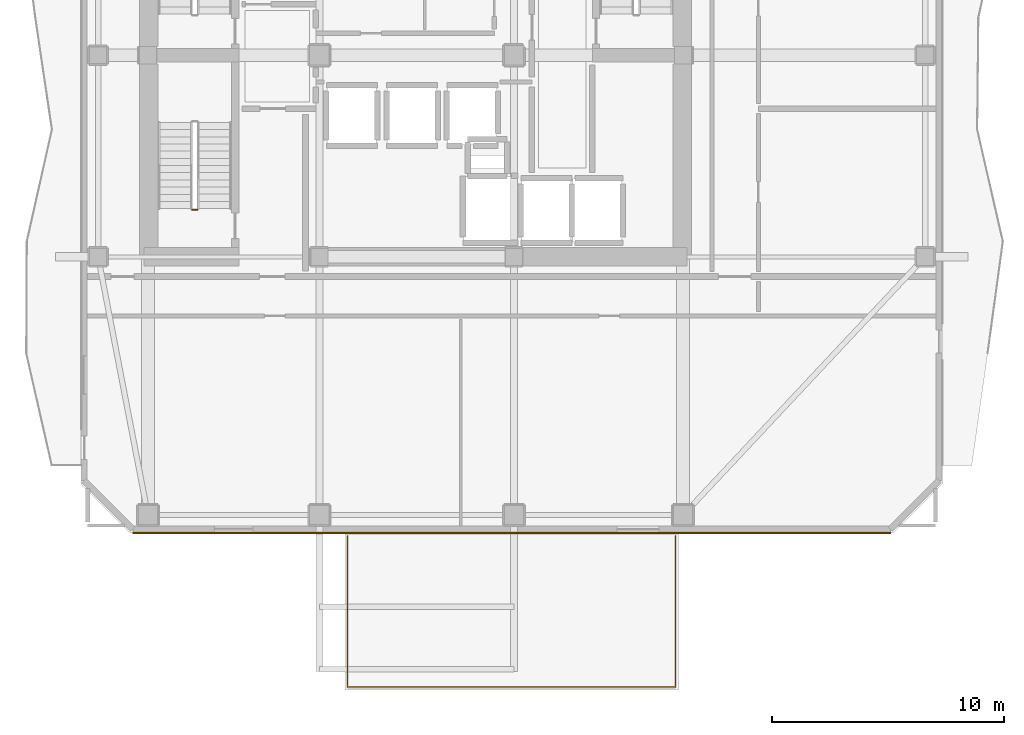
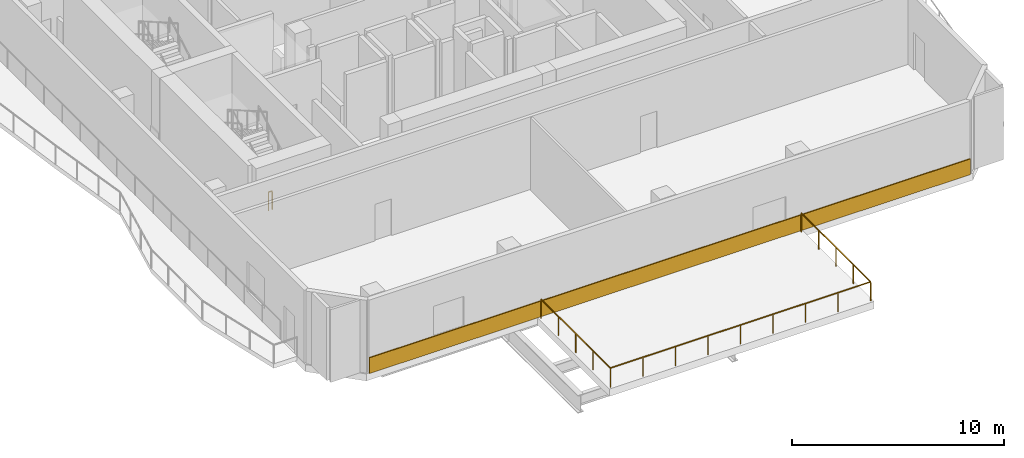
# One storey, part 7 of 10: 2 railings, 1 covering.
"""IFC4 building model written with IfcOpenShell, lengths in metres."""

from ifc_helpers import new_model, si_unit, direction, frame, frame_2d, origin, origin_2d, place, context, subcontext, project, spatial, rectangle, extrude, material, layer, layer_set, type_object, element, save


model = new_model("IFC4")

# Units and contexts
model_context = context("Model", 3, precision=1e-05, world=origin(), true_north=direction((0.0, 1.0)))
body_context = subcontext(model_context, "Body", "Model", "MODEL_VIEW")
ifc_project = project(units=[si_unit("LENGTHUNIT", "METRE"), si_unit("AREAUNIT", "SQUARE_METRE"), si_unit("VOLUMEUNIT", "CUBIC_METRE"), si_unit("PLANEANGLEUNIT", "RADIAN"), si_unit("MASSUNIT", "GRAM", prefix="KILO")], contexts=[model_context])

# Site, building, storey
site_placement = place(None, origin())
site = spatial("IfcSite", under=ifc_project, at=site_placement, CompositionType="ELEMENT")
building_placement = place(site_placement, origin())
building = spatial("IfcBuilding", under=site, at=building_placement, Name="Solanera Arch Residences", CompositionType="ELEMENT")
storey_placement = place(building_placement, frame((0.0, 0.0, 226.679931640625)))
storey = spatial("IfcBuildingStorey", under=building, at=storey_placement, Name="L66", CompositionType="ELEMENT", Elevation=226.679931640625)

# Railing
ifc_material_1 = material(Name="Steel S355 (ASTM A992 / A572 Grade 50)", Category="steel")
railing_type_1 = type_object("IfcRailingType", Name="Balustrade Railing BL-1100", PredefinedType="BALUSTRADE", material=ifc_material_1)
railing_1_placement = place(storey_placement, frame((22.02001953125, 9.949951171875, 0.0)))
element("IfcRailing", 1, at=railing_1_placement, inside=storey, type_object=railing_type_1, Name="L66 Sky Pool Perimeter Guardrail 1", PredefinedType="BALUSTRADE", context=body_context, shape_type="SweptSolid", body=[
    extrude(rectangle(XDim=0.048095703125, YDim=0.048095703125, at=origin_2d()), frame((0.0, 0.0, 1.09619140625), z_axis=(0.0, -1.0, 0.0), x_axis=(1.0, 0.0, 0.0)), (0.0, 0.0, 1.0), 6.530029296875),
    extrude(rectangle(XDim=0.048095703125, YDim=0.048095703125, at=origin_2d()), frame((0.0, -6.530029296875, 1.09619140625), z_axis=(1.0, 0.0, 0.0), x_axis=(0.0, 1.0, 0.0)), (0.0, 0.0, 1.0), 14.159912109375),
    extrude(rectangle(XDim=0.048095703125, YDim=0.048095703125, at=origin_2d()), frame((14.159912109375, -6.530029296875, 1.09619140625), z_axis=(0.0, 1.0, 0.0), x_axis=(-1.0, 0.0, 0.0)), (0.0, 0.0, 1.0), 6.530029296875),
    extrude(rectangle(XDim=0.0419921875, YDim=0.0419921875, at=origin_2d()), origin(), (0.0, 0.0, 1.0), 1.072021484375),
    extrude(rectangle(XDim=0.0419921875, YDim=0.0419921875, at=origin_2d()), frame((0.0, -1.632568359375, 0.0)), (0.0, 0.0, 1.0), 1.072021484375),
    extrude(rectangle(XDim=0.0419921875, YDim=0.0419921875, at=origin_2d()), frame((0.0, -3.26513671875, 0.0)), (0.0, 0.0, 1.0), 1.072021484375),
    extrude(rectangle(XDim=0.0419921875, YDim=0.0419921875, at=origin_2d()), frame((0.0, -4.8974609375, 0.0)), (0.0, 0.0, 1.0), 1.072021484375),
    extrude(rectangle(XDim=0.0419921875, YDim=0.0419921875, at=origin_2d()), frame((0.0, -6.530029296875, 0.0)), (0.0, 0.0, 1.0), 1.072021484375),
    extrude(rectangle(XDim=0.0419921875, YDim=0.0419921875, at=origin_2d()), frame((1.77001953125, -6.530029296875, 0.0)), (0.0, 0.0, 1.0), 1.072021484375),
    extrude(rectangle(XDim=0.0419921875, YDim=0.0419921875, at=origin_2d()), frame((3.5400390625, -6.530029296875, 0.0)), (0.0, 0.0, 1.0), 1.072021484375),
    extrude(rectangle(XDim=0.0419921875, YDim=0.0419921875, at=origin_2d()), frame((5.31005859375, -6.530029296875, 0.0)), (0.0, 0.0, 1.0), 1.072021484375),
    extrude(rectangle(XDim=0.0419921875, YDim=0.0419921875, at=origin_2d()), frame((7.080078125, -6.530029296875, 0.0)), (0.0, 0.0, 1.0), 1.072021484375),
    extrude(rectangle(XDim=0.0419921875, YDim=0.0419921875, at=origin_2d()), frame((8.849853515625, -6.530029296875, 0.0)), (0.0, 0.0, 1.0), 1.072021484375),
    extrude(rectangle(XDim=0.0419921875, YDim=0.0419921875, at=origin_2d()), frame((10.619873046875, -6.530029296875, 0.0)), (0.0, 0.0, 1.0), 1.072021484375),
    extrude(rectangle(XDim=0.0419921875, YDim=0.0419921875, at=origin_2d()), frame((12.389892578125, -6.530029296875, 0.0)), (0.0, 0.0, 1.0), 1.072021484375),
    extrude(rectangle(XDim=0.0419921875, YDim=0.0419921875, at=origin_2d()), frame((14.159912109375, -6.530029296875, 0.0)), (0.0, 0.0, 1.0), 1.072021484375),
    extrude(rectangle(XDim=0.0419921875, YDim=0.0419921875, at=origin_2d()), frame((14.159912109375, -4.8974609375, 0.0)), (0.0, 0.0, 1.0), 1.072021484375),
    extrude(rectangle(XDim=0.0419921875, YDim=0.0419921875, at=origin_2d()), frame((14.159912109375, -3.26513671875, 0.0)), (0.0, 0.0, 1.0), 1.072021484375),
    extrude(rectangle(XDim=0.0419921875, YDim=0.0419921875, at=origin_2d()), frame((14.159912109375, -1.632568359375, 0.0)), (0.0, 0.0, 1.0), 1.072021484375),
    extrude(rectangle(XDim=0.0419921875, YDim=0.0419921875, at=origin_2d()), frame((14.159912109375, 0.0, 0.0)), (0.0, 0.0, 1.0), 1.072021484375),
])

# Covering
ifc_material_2 = material(Name="Philippine Adobe Travertine Cladding", Category="masonry")
ifc_layer = layer(ifc_material_2, 0.06005859375)
ifc_layer_set = layer_set([ifc_layer], Name="Philippine Adobe Travertine Cladding")
covering_type = type_object("IfcCoveringType", Name="Precast Pier Stone Cladding CLD-60", PredefinedType="CLADDING", material=ifc_layer_set)
covering_placement = place(storey_placement, frame((45.455078125, 10.0849609375, 0.0), z_axis=(0.0, 0.0, 1.0), x_axis=(-1.0, 0.0, 0.0)))
element("IfcCovering", 2, at=covering_placement, inside=storey, type_object=covering_type, Name="L66 S Precast Spandrel Stone Band", PredefinedType="CLADDING", context=body_context, shape_type="SweptSolid", body=[
    extrude(rectangle(XDim=32.7099609375, YDim=0.06005859375, at=frame_2d((16.35498046875, 0.0))), origin(), (0.0, 0.0, 1.0), 0.900146484375),
])

# Railing
ifc_material_3 = material(Name="Steel S355 (ASTM A992 / A572 Grade 50)", Category="steel")
railing_type_2 = type_object("IfcRailingType", Name="Stair Guardrail GR-1100", PredefinedType="GUARDRAIL", material=ifc_material_3)
railing_2_placement = place(storey_placement, frame((15.52001953125, 24.030029296875, -0.014892578125)))
element("IfcRailing", 3, at=railing_2_placement, inside=storey, type_object=railing_type_2, Name="L66 ST-T3 stair guard 4", PredefinedType="GUARDRAIL", context=body_context, shape_type="SweptSolid", body=[
    extrude(rectangle(XDim=0.048095703125, YDim=0.048095703125, at=origin_2d()), frame((0.0, 0.0, 1.076171875), z_axis=(-1.0, 0.0, 0.0), x_axis=(0.0, -1.0, 0.0)), (0.0, 0.0, 1.0), 0.199951171875),
    extrude(rectangle(XDim=0.0419921875, YDim=0.0419921875, at=origin_2d()), origin(), (0.0, 0.0, 1.0), 1.052001953125),
    extrude(rectangle(XDim=0.0419921875, YDim=0.0419921875, at=origin_2d()), frame((-0.199951171875, 0.0, 0.0)), (0.0, 0.0, 1.0), 1.052001953125),
])

save(model, "model.ifc")
